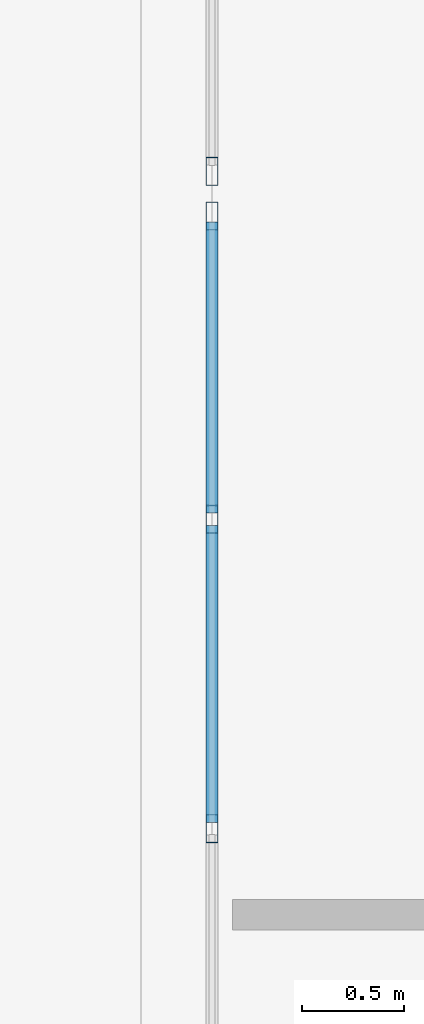
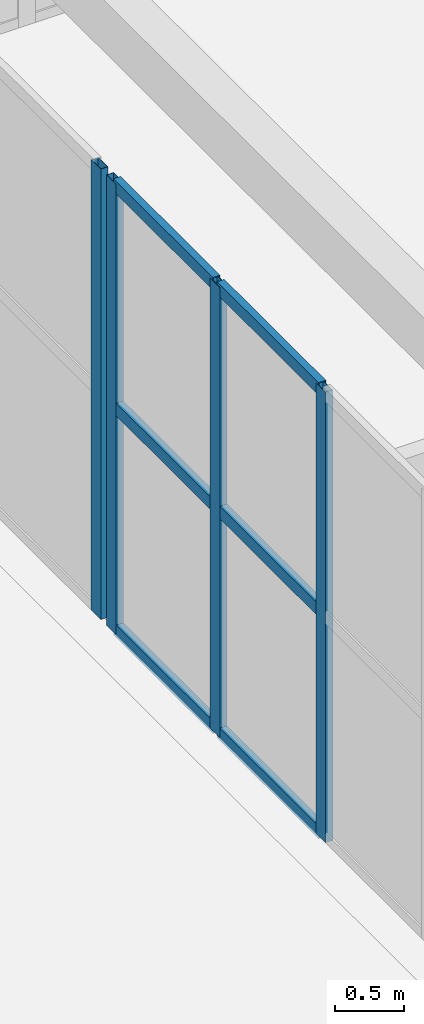
# One storey, part 35 of 90: 10 members, 2 elements without a shape of their own.
"""IFC4 building model written with IfcOpenShell, lengths in metres."""

import ifcopenshell
import ifcopenshell.guid

model = None  # the IFC model being written
_history = None  # IfcOwnerHistory: only IFC2X3 demands one
_inside = {}  # id of a spatial element -> (the spatial element, [elements in it])
_under = {}  # id of a project, library or spatial element -> (it, [spatial elements below it])
_declared = {}  # id of a project -> (the project, [libraries it declares])
_typed = {}  # id of a type object -> (the type object, [elements of that type])
_made_of = {}  # id of a material, layer set ... -> (it, [elements and type objects made of it])


def new_model(schema):
    """Start an empty IFC model of exactly this schema.

    Asked for "IFC4X3", IfcOpenShell would pick the latest addendum, in which some entities
    have other attributes; the version numbers below select the first issue.
    IFC2X3 requires an IfcOwnerHistory on every rooted entity: one is made here for all.
    """
    global model, _history
    if schema == "IFC4X3":
        model = ifcopenshell.file(schema_version=(4, 3, 0, 0))
    else:
        model = ifcopenshell.file(schema=schema)
    _inside.clear()
    _under.clear()
    _declared.clear()
    _typed.clear()
    _made_of.clear()
    _history = None
    if model.schema == "IFC2X3":
        org = make("IfcOrganization", Name="unknown")
        user = make(
            "IfcPersonAndOrganization",
            ThePerson=make("IfcPerson", FamilyName="unknown"),
            TheOrganization=org,
        )
        app = make(
            "IfcApplication",
            ApplicationDeveloper=org,
            Version="unknown",
            ApplicationFullName="unknown",
            ApplicationIdentifier="unknown",
        )
        _history = make(
            "IfcOwnerHistory",
            OwningUser=user,
            OwningApplication=app,
            ChangeAction="ADDED",
            CreationDate=0,
        )
    return model


def make(cls, **values):
    """One entity of the class cls with the attributes given. An attribute that is None is left unset."""
    return model.create_entity(
        cls, **{name: value for name, value in values.items() if value is not None}
    )


def rooted(cls, **values):
    """An entity with a GlobalId (a new one), such as an element, a storey or a relation."""
    return make(cls, GlobalId=ifcopenshell.guid.new(), OwnerHistory=_history, **values)


def si_unit(unit_type, name, prefix=None):
    """IfcSIUnit, for example si_unit("LENGTHUNIT", "METRE", prefix="MILLI")."""
    return make("IfcSIUnit", UnitType=unit_type, Prefix=prefix, Name=name)


def assignment(units):
    """IfcUnitAssignment: the units of a project."""
    return None if units is None else make("IfcUnitAssignment", Units=units)


def point(xyz):
    """IfcCartesianPoint."""
    return None if xyz is None else make("IfcCartesianPoint", Coordinates=xyz)


def direction(xyz):
    """IfcDirection."""
    return None if xyz is None else make("IfcDirection", DirectionRatios=xyz)


def frame(location, z_axis=None, x_axis=None):
    """IfcAxis2Placement3D, a coordinate frame: its origin and axes. An axis left out is left unset."""
    return make(
        "IfcAxis2Placement3D",
        Location=point(location),
        Axis=direction(z_axis),
        RefDirection=direction(x_axis),
    )


def frame_2d(location, x_axis=None):
    """IfcAxis2Placement2D, a coordinate frame in the plane: its origin and x axis."""
    return make(
        "IfcAxis2Placement2D", Location=point(location), RefDirection=direction(x_axis)
    )


def origin():
    """The frame at (0, 0, 0) with its axes left unset."""
    return frame((0.0, 0.0, 0.0))


def origin_2d():
    """The frame at (0, 0) in the plane with its x axis left unset."""
    return frame_2d((0.0, 0.0))


def place(relative_to, where):
    """IfcLocalPlacement: puts the frame where relative to a parent placement (None: the world)."""
    return make(
        "IfcLocalPlacement", PlacementRelTo=relative_to, RelativePlacement=where
    )


def context(
    kind, dimensions, precision=None, world=None, true_north=None, identifier=None
):
    """IfcGeometricRepresentationContext, for example the 3D "Model" context."""
    return make(
        "IfcGeometricRepresentationContext",
        ContextIdentifier=identifier,
        ContextType=kind,
        CoordinateSpaceDimension=dimensions,
        Precision=precision,
        WorldCoordinateSystem=world,
        TrueNorth=true_north,
    )


def subcontext(parent, identifier, kind, view, scale=None):
    """IfcGeometricRepresentationSubContext, for example "Body" below "Model"."""
    return make(
        "IfcGeometricRepresentationSubContext",
        ContextIdentifier=identifier,
        ContextType=kind,
        ParentContext=parent,
        TargetScale=scale,
        TargetView=view,
    )


def project(units=None, contexts=None):
    """IfcProject with its units and contexts."""
    return rooted(
        "IfcProject",
        Name="project",
        RepresentationContexts=contexts,
        UnitsInContext=assignment(units),
    )


def spatial(cls, under=None, at=None, **own):
    """A site, building, storey or space (cls), placed at a placement, below another one or the project."""
    s = rooted(cls, ObjectPlacement=at, **own)
    if under is not None:
        _under.setdefault(under.id(), (under, []))[1].append(s)
    return s


def profile(cls, at=None, kind="AREA", **sizes):
    """A parametric profile (cls). Its sizes go by their IFC names, for example OverallWidth=200.0."""
    return make(cls, ProfileType=kind, Position=at, **sizes)


def hollow_rectangle(**sizes):
    """IfcRectangleHollowProfileDef."""
    return profile("IfcRectangleHollowProfileDef", **sizes)


def extrude(swept, where, along, depth):
    """IfcExtrudedAreaSolid: the profile swept, set in the frame where, extruded along a direction by depth."""
    return make(
        "IfcExtrudedAreaSolid",
        SweptArea=swept,
        Position=where,
        ExtrudedDirection=direction(along),
        Depth=depth,
    )


def shape(context_of_items, identifier, shape_type, items):
    """IfcShapeRepresentation: the items that make up one representation, for example the "Body"."""
    return make(
        "IfcShapeRepresentation",
        ContextOfItems=context_of_items,
        RepresentationIdentifier=identifier,
        RepresentationType=shape_type,
        Items=items,
    )


def material(Name=None, Category=None):
    """IfcMaterial."""
    return make("IfcMaterial", Name=Name, Category=Category)


def layer(
    of_material, thickness, ventilated=None, Name=None, Category=None, Priority=None
):
    """IfcMaterialLayer: one layer of a wall or slab, of a material (None: an air gap)."""
    return make(
        "IfcMaterialLayer",
        Material=of_material,
        LayerThickness=thickness,
        IsVentilated=ventilated,
        Name=Name,
        Category=Category,
        Priority=Priority,
    )


def layer_set(layers, Name=None):
    """IfcMaterialLayerSet."""
    return make("IfcMaterialLayerSet", MaterialLayers=layers, LayerSetName=Name)


def material_profile(
    of_material, cross_section, Name=None, Category=None, Priority=None
):
    """IfcMaterialProfile: a cross section and its material."""
    return make(
        "IfcMaterialProfile",
        Name=Name,
        Material=of_material,
        Profile=cross_section,
        Priority=Priority,
        Category=Category,
    )


def profile_set(profiles, Name=None, composite=None):
    """IfcMaterialProfileSet."""
    return make(
        "IfcMaterialProfileSet",
        Name=Name,
        MaterialProfiles=profiles,
        CompositeProfile=composite,
    )


def made_of(thing, what):
    """Note that an element or type object is made of a material, layer set ...; save() writes the relation."""
    if what is not None:
        _made_of.setdefault(what.id(), (what, []))[1].append(thing)
    return thing


def type_object(cls, material=None, **own):
    """A type object (cls), such as IfcWallType, which elements share."""
    return made_of(rooted(cls, **own), material)


def element(
    cls,
    number,
    at=None,
    inside=None,
    cuts=None,
    type_object=None,
    material=None,
    context=None,
    identifier="Body",
    shape_type=None,
    held_by="IfcProductDefinitionShape",
    body=None,
    shapes=None,
    **own,
):
    """One element of the class cls, such as IfcWall. Its Tag is "e" and its number.

    at: its placement. inside: the storey or other place that contains it. cuts: it is an
    opening in that element (IfcRelVoidsElement). A single representation is given by context,
    identifier, shape_type and body (its items); several are given by shapes. held_by: the class
    of the entity that holds the representations. save() writes the other relations.
    """
    e = rooted(cls, Tag="e%d" % number, ObjectPlacement=at, **own)
    if body is not None:
        shapes = [shape(context, identifier, shape_type, body)]
    if shapes is not None:
        e.Representation = make(held_by, Representations=shapes)
    if inside is not None:
        _inside.setdefault(inside.id(), (inside, []))[1].append(e)
    if cuts is not None:
        rooted(
            "IfcRelVoidsElement", RelatingBuildingElement=cuts, RelatedOpeningElement=e
        )
    if type_object is not None:
        _typed.setdefault(type_object.id(), (type_object, []))[1].append(e)
    return made_of(e, material)


def aggregate(whole, parts):
    """IfcRelAggregates: a whole, such as a stair, and the parts it consists of."""
    return rooted("IfcRelAggregates", RelatingObject=whole, RelatedObjects=parts)


def save(model, path):
    """Write the relations noted so far, then the file.

    IfcRelAggregates (storeys below a building ...), IfcRelContainedInSpatialStructure (elements
    in a storey), IfcRelDefinesByType, IfcRelAssociatesMaterial and IfcRelDeclares: one each for
    every whole, place, type object, material and project.
    """
    for whole, parts in _under.values():
        aggregate(whole, parts)
    for where, things in _inside.values():
        rooted(
            "IfcRelContainedInSpatialStructure",
            RelatedElements=things,
            RelatingStructure=where,
        )
    for kind, things in _typed.values():
        rooted("IfcRelDefinesByType", RelatedObjects=things, RelatingType=kind)
    for what, things in _made_of.values():
        rooted("IfcRelAssociatesMaterial", RelatedObjects=things, RelatingMaterial=what)
    for by, libraries in _declared.values():
        rooted("IfcRelDeclares", RelatingContext=by, RelatedDefinitions=libraries)
    model.write(path)


model = new_model("IFC4")

# Units and contexts
model_context = context("Model", 3, precision=1e-05, world=origin(), true_north=direction((0.0, 1.0)))
body_context = subcontext(model_context, "Body", "Model", "MODEL_VIEW")
ifc_project = project(units=[si_unit("LENGTHUNIT", "METRE"), si_unit("AREAUNIT", "SQUARE_METRE"), si_unit("VOLUMEUNIT", "CUBIC_METRE"), si_unit("PLANEANGLEUNIT", "RADIAN"), si_unit("MASSUNIT", "GRAM", prefix="KILO")], contexts=[model_context])

# Site, building, storey
site_placement = place(None, origin())
site = spatial("IfcSite", under=ifc_project, at=site_placement, CompositionType="ELEMENT")
building_placement = place(site_placement, origin())
building = spatial("IfcBuilding", under=site, at=building_placement, Name="Trelvath General Hospital", CompositionType="ELEMENT")
storey_placement = place(building_placement, frame((0.0, 0.0, 20.39990234375)))
storey = spatial("IfcBuildingStorey", under=building, at=storey_placement, Name="L05", CompositionType="ELEMENT", Elevation=20.39990234375)

# Curtain wall, members
ifc_material_1 = material(Name="Anodised aluminium and low-E glass", Category="aluminium")
ifc_layer_1 = layer(ifc_material_1, 0.14990234375)
ifc_layer_set_1 = layer_set([ifc_layer_1], Name="Anodised aluminium and low-E glass")
curtain_wall_type_1 = type_object("IfcCurtainWallType", Name="CW CrystalCube 914 396 15", PredefinedType="USERDEFINED", material=ifc_layer_set_1)
curtain_wall_1_placement = place(storey_placement, origin())
curtain_wall_1 = element("IfcCurtainWall", 1, at=curtain_wall_1_placement, inside=storey, type_object=curtain_wall_type_1, Name="Crystal Cube Curtain Wall CUBE-W-T2 W4 L05", ObjectType="Unitised Glazed Curtain Wall", PredefinedType="USERDEFINED")
ifc_material_2 = material(Name="Anodised aluminium", Category="aluminium")
ifc_material_profile_1 = material_profile(ifc_material_2, hollow_rectangle(XDim=0.06005859375, YDim=0.139892578125, WallThickness=0.00390625, at=origin_2d()), Name="RHS60x140x4")
ifc_profile_set_1 = profile_set([ifc_material_profile_1], Name="Anodised aluminium")
member_type_1 = type_object("IfcMemberType", Name="CurtainMullion 60x140", PredefinedType="MULLION", material=ifc_profile_set_1)
member_1_placement = place(storey_placement, frame((59.60009765625, 64.0732421875, 0.0), z_axis=(0.0, 0.0, 1.0), x_axis=(-1.0, 0.0, 0.0)))
member_1 = element("IfcMember", 2, at=member_1_placement, type_object=member_type_1, Name="CW-312 mullion 5", PredefinedType="MULLION", context=body_context, shape_type="SweptSolid", body=[
    extrude(hollow_rectangle(XDim=0.06005859375, YDim=0.139892578125, WallThickness=0.00390625, at=origin_2d()), origin(), (0.0, 0.0, 1.0), 3.960205078125),
])
member_2_placement = place(storey_placement, frame((59.60009765625, 65.5966796875, 0.0), z_axis=(0.0, 0.0, 1.0), x_axis=(-1.0, 0.0, 0.0)))
member_2 = element("IfcMember", 3, at=member_2_placement, type_object=member_type_1, Name="CW-312 mullion 6", PredefinedType="MULLION", context=body_context, shape_type="SweptSolid", body=[
    extrude(hollow_rectangle(XDim=0.06005859375, YDim=0.139892578125, WallThickness=0.00390625, at=origin_2d()), origin(), (0.0, 0.0, 1.0), 3.960205078125),
])
member_3_placement = place(storey_placement, frame((59.60009765625, 67.090087890625, 0.0), z_axis=(0.0, 0.0, 1.0), x_axis=(-1.0, 0.0, 0.0)))
member_3 = element("IfcMember", 4, at=member_3_placement, type_object=member_type_1, Name="CW-312 mullion 7", PredefinedType="MULLION", context=body_context, shape_type="SweptSolid", body=[
    extrude(hollow_rectangle(XDim=0.06005859375, YDim=0.139892578125, WallThickness=0.00390625, at=origin_2d()), origin(), (0.0, 0.0, 1.0), 3.960205078125),
])

# Curtain wall, member
ifc_material_3 = material(Name="Anodised aluminium and low-E glass", Category="aluminium")
ifc_layer_2 = layer(ifc_material_3, 0.14990234375)
ifc_layer_set_2 = layer_set([ifc_layer_2], Name="Anodised aluminium and low-E glass")
curtain_wall_type_2 = type_object("IfcCurtainWallType", Name="CW CrystalCube 664 396 15", PredefinedType="USERDEFINED", material=ifc_layer_set_2)
curtain_wall_2_placement = place(storey_placement, origin())
curtain_wall_2 = element("IfcCurtainWall", 5, at=curtain_wall_2_placement, inside=storey, type_object=curtain_wall_type_2, Name="Crystal Cube Curtain Wall CUBE-W-T2 W5 L05", ObjectType="Unitised Glazed Curtain Wall", PredefinedType="USERDEFINED")
member_4_placement = place(storey_placement, frame((59.60009765625, 67.31005859375, 0.0), z_axis=(0.0, 0.0, 1.0), x_axis=(-1.0, 0.0, 0.0)))
member_4 = element("IfcMember", 6, at=member_4_placement, type_object=member_type_1, Name="CW-313 mullion 1", PredefinedType="MULLION", context=body_context, shape_type="SweptSolid", body=[
    extrude(hollow_rectangle(XDim=0.06005859375, YDim=0.139892578125, WallThickness=0.00390625, at=origin_2d()), origin(), (0.0, 0.0, 1.0), 3.960205078125),
])
aggregate(curtain_wall_2, [member_4])

# Member
ifc_material_4 = material(Name="Anodised aluminium", Category="aluminium")
ifc_material_profile_2 = material_profile(ifc_material_4, hollow_rectangle(XDim=0.06005859375, YDim=0.110107421875, WallThickness=0.00390625, at=origin_2d()), Name="RHS60x110x4")
ifc_profile_set_2 = profile_set([ifc_material_profile_2], Name="Anodised aluminium")
member_type_2 = type_object("IfcMemberType", Name="CurtainTransom 60x110", PredefinedType="USERDEFINED", material=ifc_profile_set_2)
member_5_placement = place(storey_placement, frame((59.60009765625, 64.103271484375, 0.030029296875), z_axis=(0.0, 1.0, 0.0), x_axis=(-1.0, 0.0, 0.0)))
member_5 = element("IfcMember", 7, at=member_5_placement, type_object=member_type_2, Name="CW-312 transom 5.1", ObjectType="TRANSOM", PredefinedType="USERDEFINED", context=body_context, shape_type="SweptSolid", body=[
    extrude(hollow_rectangle(XDim=0.06005859375, YDim=0.110107421875, WallThickness=0.00390625, at=origin_2d()), origin(), (0.0, 0.0, 1.0), 1.46337890625),
])

member_6_placement = place(storey_placement, frame((59.60009765625, 64.103271484375, 1.97998046875), z_axis=(0.0, 1.0, 0.0), x_axis=(-1.0, 0.0, 0.0)))
member_6 = element("IfcMember", 8, at=member_6_placement, type_object=member_type_2, Name="CW-312 transom 5.2", ObjectType="TRANSOM", PredefinedType="USERDEFINED", context=body_context, shape_type="SweptSolid", body=[
    extrude(hollow_rectangle(XDim=0.06005859375, YDim=0.110107421875, WallThickness=0.00390625, at=origin_2d()), origin(), (0.0, 0.0, 1.0), 1.46337890625),
])

member_7_placement = place(storey_placement, frame((59.60009765625, 64.103271484375, 3.93017578125), z_axis=(0.0, 1.0, 0.0), x_axis=(-1.0, 0.0, 0.0)))
member_7 = element("IfcMember", 9, at=member_7_placement, type_object=member_type_2, Name="CW-312 transom 5.3", ObjectType="TRANSOM", PredefinedType="USERDEFINED", context=body_context, shape_type="SweptSolid", body=[
    extrude(hollow_rectangle(XDim=0.06005859375, YDim=0.110107421875, WallThickness=0.00390625, at=origin_2d()), origin(), (0.0, 0.0, 1.0), 1.46337890625),
])

member_8_placement = place(storey_placement, frame((59.60009765625, 65.626708984375, 0.030029296875), z_axis=(0.0, 1.0, 0.0), x_axis=(-1.0, 0.0, 0.0)))
member_8 = element("IfcMember", 10, at=member_8_placement, type_object=member_type_2, Name="CW-312 transom 6.1", ObjectType="TRANSOM", PredefinedType="USERDEFINED", context=body_context, shape_type="SweptSolid", body=[
    extrude(hollow_rectangle(XDim=0.06005859375, YDim=0.110107421875, WallThickness=0.00390625, at=origin_2d()), origin(), (0.0, 0.0, 1.0), 1.433349609375),
])

member_9_placement = place(storey_placement, frame((59.60009765625, 65.626708984375, 1.97998046875), z_axis=(0.0, 1.0, 0.0), x_axis=(-1.0, 0.0, 0.0)))
member_9 = element("IfcMember", 11, at=member_9_placement, type_object=member_type_2, Name="CW-312 transom 6.2", ObjectType="TRANSOM", PredefinedType="USERDEFINED", context=body_context, shape_type="SweptSolid", body=[
    extrude(hollow_rectangle(XDim=0.06005859375, YDim=0.110107421875, WallThickness=0.00390625, at=origin_2d()), origin(), (0.0, 0.0, 1.0), 1.433349609375),
])

member_10_placement = place(storey_placement, frame((59.60009765625, 65.626708984375, 3.93017578125), z_axis=(0.0, 1.0, 0.0), x_axis=(-1.0, 0.0, 0.0)))
member_10 = element("IfcMember", 12, at=member_10_placement, type_object=member_type_2, Name="CW-312 transom 6.3", ObjectType="TRANSOM", PredefinedType="USERDEFINED", context=body_context, shape_type="SweptSolid", body=[
    extrude(hollow_rectangle(XDim=0.06005859375, YDim=0.110107421875, WallThickness=0.00390625, at=origin_2d()), origin(), (0.0, 0.0, 1.0), 1.433349609375),
])

aggregate(curtain_wall_1, [member_1, member_2, member_3, member_5, member_6, member_7, member_8, member_9, member_10])

save(model, "model.ifc")
